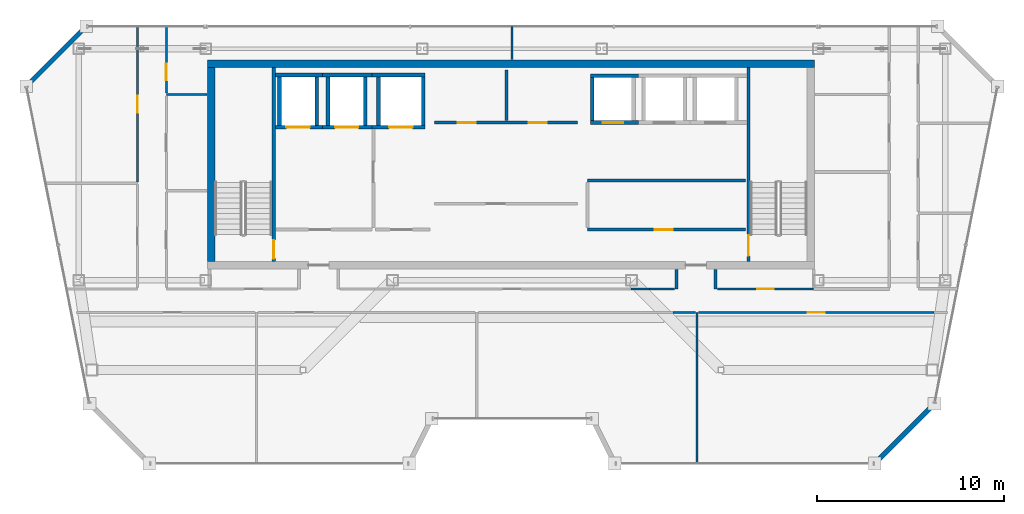
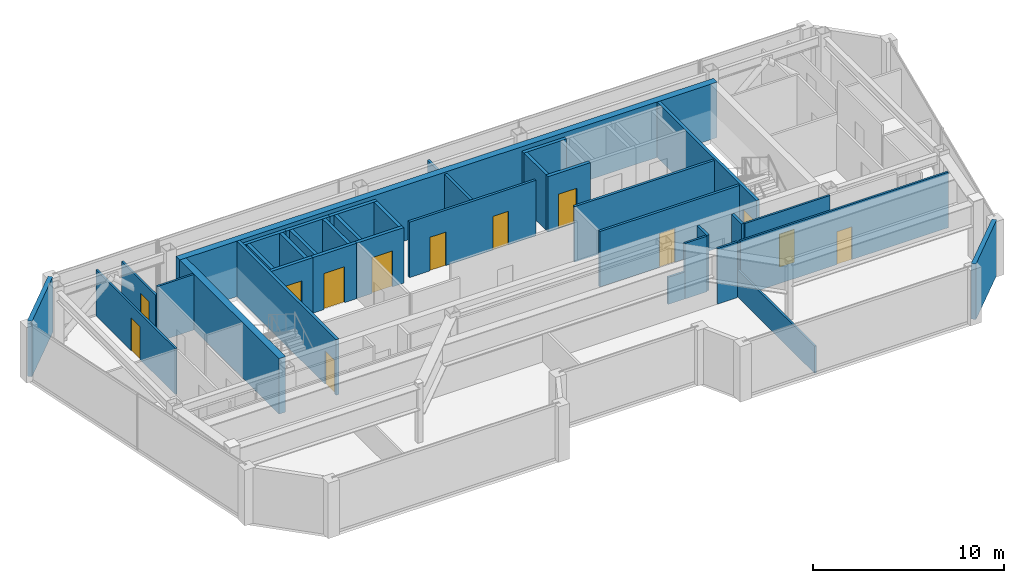
# One storey, part 20 of 24: 37 walls, 13 doors, 13 openings.
"""IFC4 building model written with IfcOpenShell, lengths in metres."""

from ifc_helpers import new_model, si_unit, direction, frame, frame_2d, origin, place, context, subcontext, project, spatial, rectangle, extrude, material, layer, layer_set, type_object, element, fill, save


model = new_model("IFC4")

# Units and contexts
model_context = context("Model", 3, precision=1e-05, world=origin(), true_north=direction((0.0, 1.0)))
body_context = subcontext(model_context, "Body", "Model", "MODEL_VIEW")
ifc_project = project(units=[si_unit("LENGTHUNIT", "METRE"), si_unit("AREAUNIT", "SQUARE_METRE"), si_unit("VOLUMEUNIT", "CUBIC_METRE"), si_unit("PLANEANGLEUNIT", "RADIAN"), si_unit("MASSUNIT", "GRAM", prefix="KILO")], contexts=[model_context])

# Site, building, storey
site_placement = place(None, origin())
site = spatial("IfcSite", under=ifc_project, at=site_placement, CompositionType="ELEMENT")
building_placement = place(site_placement, origin())
building = spatial("IfcBuilding", under=site, at=building_placement, Name="Saevonmaru Cultural Tower", CompositionType="ELEMENT")
storey_placement = place(building_placement, frame((0.0, 0.0, 306.60009765625)))
storey = spatial("IfcBuildingStorey", under=building, at=storey_placement, Name="L73", CompositionType="ELEMENT", Elevation=306.60009765625)

# Walls
ifc_material_1 = material(Name="Concrete C50/60", Category="concrete")
ifc_layer_1 = layer(ifc_material_1, 0.39990234375, Name="Concrete C50/60")
ifc_layer_set_1 = layer_set([ifc_layer_1], Name="Concrete C50/60")
wall_type_1 = type_object("IfcWallType", Name="WL-CORE-400", PredefinedType="SHEAR", material=ifc_layer_set_1)
wall_1_placement = place(storey_placement, frame((13.699951171875, 54.0, 0.0), z_axis=(0.0, 0.0, 1.0), x_axis=(1.0, 0.0, 0.0)))
element("IfcWall", 1, at=wall_1_placement, inside=storey, type_object=wall_type_1, Name="L73 Tower RC core shear wall N", PredefinedType="SHEAR", context=body_context, shape_type="SweptSolid", body=[
    extrude(rectangle(XDim=32.5, YDim=0.39990234375, at=frame_2d((16.25, 0.0))), origin(), (0.0, 0.0, 1.0), 3.5498046875),
])
wall_2_placement = place(storey_placement, frame((13.89990234375, 43.39990234375, 0.0), z_axis=(0.0, 0.0, 1.0), x_axis=(0.0, 1.0, 0.0)))
element("IfcWall", 2, at=wall_2_placement, inside=storey, type_object=wall_type_1, Name="L73 Tower RC core shear wall W", PredefinedType="SHEAR", context=body_context, shape_type="SweptSolid", body=[
    extrude(rectangle(XDim=10.400146484375, YDim=0.39990234375, at=frame_2d((5.2001953125, 0.0))), origin(), (0.0, 0.0, 1.0), 3.5498046875),
])

# Wall, opening, door
ifc_material_2 = material(Name="Gypsum Fireboard Partition", Category="gypsum")
ifc_layer_2 = layer(ifc_material_2, 0.14990234375, Name="Gypsum Fireboard Partition")
ifc_layer_set_2 = layer_set([ifc_layer_2], Name="Gypsum Fireboard Partition")
wall_type_2 = type_object("IfcWallType", Name="WL-CORE-PART-150", PredefinedType="PARTITIONING", material=ifc_layer_set_2)
wall_3_placement = place(storey_placement, frame((34.050048828125, 45.1201171875, 0.0), z_axis=(0.0, 0.0, 1.0), x_axis=(1.0, 0.0, 0.0)))
wall_3 = element("IfcWall", 3, at=wall_3_placement, inside=storey, type_object=wall_type_2, Name="L73 Core Service South Wall", PredefinedType="PARTITIONING", context=body_context, shape_type="SweptSolid", body=[
    extrude(rectangle(XDim=8.449951171875, YDim=0.14990234375, at=frame_2d((4.22509765625, 0.0))), origin(), (0.0, 0.0, 1.0), 3.5498046875),
])
opening_1_placement = place(wall_3_placement, frame((3.60009765625, 0.0, 0.0)))
opening_1 = element("IfcOpeningElement", 4, at=opening_1_placement, cuts=wall_3, Name="Opening FD-4", PredefinedType="OPENING", context=body_context, shape_type="SweptSolid", body=[
    extrude(rectangle(XDim=0.949951171875, YDim=2.14990234375, at=frame_2d((0.47509765625, 1.074951171875))), frame((0.0, 0.0849609375, 0.0), z_axis=(0.0, -1.0, 0.0), x_axis=(1.0, 0.0, 0.0)), (0.0, 0.0, 1.0), 0.169921875),
])
ifc_material_3 = material(Name="Satin Bronze Anodised Aluminium", Category="aluminium")
door_type_1 = type_object("IfcDoorType", Name="DR-FD60-950", OperationType="SINGLE_SWING_LEFT", PredefinedType="DOOR", material=ifc_material_3)
door_1_placement = place(opening_1_placement, origin())
door_1 = element("IfcDoor", 5, at=door_1_placement, inside=storey, type_object=door_type_1, Name="L73 Telecom Riser Plant Door", OperationType="SINGLE_SWING_LEFT", OverallHeight=2.14990234375, OverallWidth=0.949951171875, PredefinedType="DOOR", context=body_context, shape_type="SweptSolid", body=[
    extrude(rectangle(XDim=0.949951171875, YDim=2.14990234375, at=frame_2d((0.47509765625, 1.074951171875))), frame((0.0, 0.02490234375, 0.0), z_axis=(0.0, -1.0, 0.0), x_axis=(1.0, 0.0, 0.0)), (0.0, 0.0, 1.0), 0.050048828125),
])
fill(opening_1, door_1)

# Wall
wall_4_placement = place(storey_placement, frame((34.050048828125, 47.75, 0.0), z_axis=(0.0, 0.0, 1.0), x_axis=(1.0, 0.0, 0.0)))
element("IfcWall", 6, at=wall_4_placement, inside=storey, type_object=wall_type_2, Name="L73 Core Service North Wall", PredefinedType="PARTITIONING", context=body_context, shape_type="SweptSolid", body=[
    extrude(rectangle(XDim=8.449951171875, YDim=0.14990234375, at=frame_2d((4.22509765625, 0.0))), origin(), (0.0, 0.0, 1.0), 3.5498046875),
])

# Wall, openings, doors
wall_5_placement = place(storey_placement, frame((25.85009765625, 50.85009765625, 0.0), z_axis=(0.0, 0.0, 1.0), x_axis=(1.0, 0.0, 0.0)))
wall_5 = element("IfcWall", 7, at=wall_5_placement, inside=storey, type_object=wall_type_2, Name="L73 Reclaimed Core Room South Wall", PredefinedType="PARTITIONING", context=body_context, shape_type="SweptSolid", body=[
    extrude(rectangle(XDim=7.64990234375, YDim=0.14990234375, at=frame_2d((3.824951171875, 0.0))), origin(), (0.0, 0.0, 1.0), 3.5498046875),
])
opening_2_placement = place(wall_5_placement, frame((1.25, 0.0, 0.0)))
opening_2 = element("IfcOpeningElement", 8, at=opening_2_placement, cuts=wall_5, Name="Opening FD-4", PredefinedType="OPENING", context=body_context, shape_type="SweptSolid", body=[
    extrude(rectangle(XDim=0.949951171875, YDim=2.14990234375, at=frame_2d((0.47509765625, 1.074951171875))), frame((0.0, 0.0849609375, 0.0), z_axis=(0.0, -1.0, 0.0), x_axis=(1.0, 0.0, 0.0)), (0.0, 0.0, 1.0), 0.169921875),
])
opening_3_placement = place(wall_5_placement, frame((5.050048828125, 0.0, 0.0)))
opening_3 = element("IfcOpeningElement", 9, at=opening_3_placement, cuts=wall_5, Name="Opening FD-4", PredefinedType="OPENING", context=body_context, shape_type="SweptSolid", body=[
    extrude(rectangle(XDim=0.949951171875, YDim=2.14990234375, at=frame_2d((0.47509765625, 1.074951171875))), frame((0.0, 0.0849609375, 0.0), z_axis=(0.0, -1.0, 0.0), x_axis=(1.0, 0.0, 0.0)), (0.0, 0.0, 1.0), 0.169921875),
])
door_2_placement = place(opening_2_placement, origin())
door_2 = element("IfcDoor", 10, at=door_2_placement, inside=storey, type_object=door_type_1, Name="L73 Reclaimed Archive Vault Door", OperationType="SINGLE_SWING_LEFT", OverallHeight=2.14990234375, OverallWidth=0.949951171875, PredefinedType="DOOR", context=body_context, shape_type="SweptSolid", body=[
    extrude(rectangle(XDim=0.949951171875, YDim=2.14990234375, at=frame_2d((0.47509765625, 1.074951171875))), frame((0.0, 0.02490234375, 0.0), z_axis=(0.0, -1.0, 0.0), x_axis=(1.0, 0.0, 0.0)), (0.0, 0.0, 1.0), 0.050048828125),
])
fill(opening_2, door_2)
door_3_placement = place(opening_3_placement, origin())
door_3 = element("IfcDoor", 11, at=door_3_placement, inside=storey, type_object=door_type_1, Name="L73 Reclaimed Conservation Storage Door", OperationType="SINGLE_SWING_LEFT", OverallHeight=2.14990234375, OverallWidth=0.949951171875, PredefinedType="DOOR", context=body_context, shape_type="SweptSolid", body=[
    extrude(rectangle(XDim=0.949951171875, YDim=2.14990234375, at=frame_2d((0.47509765625, 1.074951171875))), frame((0.0, 0.02490234375, 0.0), z_axis=(0.0, -1.0, 0.0), x_axis=(1.0, 0.0, 0.0)), (0.0, 0.0, 1.0), 0.050048828125),
])
fill(opening_3, door_3)

# Walls
wall_6_placement = place(storey_placement, frame((29.699951171875, 50.949951171875, 0.0), z_axis=(0.0, 0.0, 1.0), x_axis=(0.0, 1.0, 0.0)))
element("IfcWall", 12, at=wall_6_placement, inside=storey, type_object=wall_type_2, Name="L73 Reclaimed Vault Split", PredefinedType="PARTITIONING", context=body_context, shape_type="SweptSolid", body=[
    extrude(rectangle(XDim=2.699951171875, YDim=0.14990234375, at=frame_2d((1.35009765625, 0.0))), origin(), (0.0, 0.0, 1.0), 3.5498046875),
])
ifc_material_4 = material(Name="Granite-Clad Precast Concrete C40/50", Category="masonry")
ifc_layer_3 = layer(ifc_material_4, 0.260009765625, Name="Granite-Clad Precast Concrete C40/50")
ifc_layer_set_3 = layer_set([ifc_layer_3], Name="Granite-Clad Precast Concrete C40/50")
wall_type_3 = type_object("IfcWallType", Name="WL-EXT-SPANDREL-260", PredefinedType="STANDARD", material=ifc_layer_set_3)
wall_7_placement = place(storey_placement, frame((49.533203125, 32.713134765625, 0.0), z_axis=(0.0, 0.0, 1.0), x_axis=(0.70707775441, 0.707135806771, 0.0)))
element("IfcWall", 13, at=wall_7_placement, inside=storey, type_object=wall_type_3, Name="L73 Chamfer Corner Spandrel Wall E7", PredefinedType="STANDARD", context=body_context, shape_type="SweptSolid", body=[
    extrude(rectangle(XDim=4.20556640625, YDim=0.260009765625, at=frame_2d((2.102783203125, 0.0))), origin(), (0.0, 0.0, 1.0), 3.5498046875),
])
wall_8_placement = place(storey_placement, frame((7.0869140625, 55.886962890625, 0.0), z_axis=(0.0, 0.0, 1.0), x_axis=(-0.707106781187, -0.707106781187, 0.0)))
element("IfcWall", 14, at=wall_8_placement, inside=storey, type_object=wall_type_3, Name="L73 Chamfer Corner Spandrel Wall E11", PredefinedType="STANDARD", context=body_context, shape_type="SweptSolid", body=[
    extrude(rectangle(XDim=4.205810546875, YDim=0.260009765625, at=frame_2d((2.10302734375, 0.0))), origin(), (0.0, 0.0, 1.0), 3.5498046875),
])
ifc_layer_4 = layer(ifc_material_2, 0.14990234375, Name="Gypsum Fireboard Partition")
ifc_layer_set_4 = layer_set([ifc_layer_4], Name="Gypsum Fireboard Partition")
wall_type_4 = type_object("IfcWallType", Name="WL-PART-FIRE-150", PredefinedType="PARTITIONING", material=ifc_layer_set_4)
for number, where, z_axis, x_axis, name in (
    (15, (38.800048828125, 41.93994140625, 0.0), (0.0, 0.0, 1.0), (0.0, 1.0, 0.0), "L73 Core Portal Side Wall E1"),
    (16, (40.89990234375, 41.93994140625, 0.0), (0.0, 0.0, 1.0), (0.0, 1.0, 0.0), "L73 Core Portal Side Wall E2"),
):
    element("IfcWall", number, at=place(storey_placement, frame(where, z_axis=z_axis, x_axis=x_axis)), inside=storey, type_object=wall_type_4, Name=name, PredefinedType="PARTITIONING", context=body_context, shape_type="SweptSolid", body=[
        extrude(rectangle(XDim=1.0400390625, YDim=0.14990234375, at=frame_2d((0.52001953125, 0.0))), origin(), (0.0, 0.0, 1.0), 3.5498046875),
    ])
ifc_layer_5 = layer(ifc_material_2, 0.1201171875, Name="Gypsum Fireboard Partition")
ifc_layer_set_5 = layer_set([ifc_layer_5], Name="Gypsum Fireboard Partition")
wall_type_5 = type_object("IfcWallType", Name="WL-PART-GYP-120", PredefinedType="PARTITIONING", material=ifc_layer_set_5)
wall_9_placement = place(storey_placement, frame((11.5, 52.35009765625, 0.0), z_axis=(0.0, 0.0, 1.0), x_axis=(1.0, 0.0, 0.0)))
element("IfcWall", 17, at=wall_9_placement, inside=storey, type_object=wall_type_5, Name="L73 North-West Panorama South Wall", PredefinedType="PARTITIONING", context=body_context, shape_type="SweptSolid", body=[
    extrude(rectangle(XDim=2.179931640625, YDim=0.1201171875, at=frame_2d((1.08984375, 0.0))), origin(), (0.0, 0.0, 1.0), 3.5498046875),
])
wall_10_placement = place(storey_placement, frame((30.0, 54.219970703125, 0.0), z_axis=(0.0, 0.0, 1.0), x_axis=(0.0, 1.0, 0.0)))
element("IfcWall", 18, at=wall_10_placement, inside=storey, type_object=wall_type_5, Name="L73 North Panorama Center Split", PredefinedType="PARTITIONING", context=body_context, shape_type="SweptSolid", body=[
    extrude(rectangle(XDim=1.775146484375, YDim=0.1201171875, at=frame_2d((0.8876953125, 0.0))), origin(), (0.0, 0.0, 1.0), 2.934814453125),
])

# Wall, opening, door
wall_11_placement = place(storey_placement, frame((11.5, 52.429931640625, 0.0), z_axis=(0.0, 0.0, 1.0), x_axis=(0.0, 1.0, 0.0)))
wall_11 = element("IfcWall", 19, at=wall_11_placement, inside=storey, type_object=wall_type_5, Name="L73 Literature Seminar Meeting Room Corridor Wall", PredefinedType="PARTITIONING", context=body_context, shape_type="SweptSolid", body=[
    extrude(rectangle(XDim=3.565185546875, YDim=0.1201171875, at=frame_2d((1.78271484375, 0.0))), origin(), (0.0, 0.0, 1.0), 2.934814453125),
])
opening_4_placement = place(wall_11_placement, frame((0.672119140625, 0.0, 0.0)))
opening_4 = element("IfcOpeningElement", 20, at=opening_4_placement, cuts=wall_11, Name="Opening ID-2", PredefinedType="OPENING", context=body_context, shape_type="SweptSolid", body=[
    extrude(rectangle(XDim=0.89990234375, YDim=2.10009765625, at=frame_2d((0.449951171875, 1.050048828125))), frame((0.0, 0.070068359375, 0.0), z_axis=(0.0, -1.0, 0.0), x_axis=(1.0, 0.0, 0.0)), (0.0, 0.0, 1.0), 0.14013671875),
])
ifc_material_5 = material(Name="Acoustic Stained Oak Timber", Category="wood")
door_type_2 = type_object("IfcDoorType", Name="DR-INT-900", OperationType="SINGLE_SWING_RIGHT", PredefinedType="DOOR", material=ifc_material_5)
door_4_placement = place(opening_4_placement, origin())
door_4 = element("IfcDoor", 21, at=door_4_placement, inside=storey, type_object=door_type_2, Name="L73 Literature Seminar Meeting Room Door", OperationType="SINGLE_SWING_LEFT", OverallHeight=2.10009765625, OverallWidth=0.89990234375, PredefinedType="DOOR", context=body_context, shape_type="SweptSolid", body=[
    extrude(rectangle(XDim=0.89990234375, YDim=2.10009765625, at=frame_2d((0.449951171875, 1.050048828125))), frame((0.0, 0.02490234375, 0.0), z_axis=(0.0, -1.0, 0.0), x_axis=(1.0, 0.0, 0.0)), (0.0, 0.0, 1.0), 0.050048828125),
])
fill(opening_4, door_4)

wall_12_placement = place(storey_placement, frame((9.949951171875, 47.679931640625, 0.0), z_axis=(0.0, 0.0, 1.0), x_axis=(0.0, 1.0, 0.0)))
wall_12 = element("IfcWall", 22, at=wall_12_placement, inside=storey, type_object=wall_type_5, Name="L73 Architecture Residency Office Corridor Wall", PredefinedType="PARTITIONING", context=body_context, shape_type="SweptSolid", body=[
    extrude(rectangle(XDim=8.315185546875, YDim=0.1201171875, at=frame_2d((4.15771484375, 0.0))), origin(), (0.0, 0.0, 1.0), 2.934814453125),
])
opening_5_placement = place(wall_12_placement, frame((3.70703125, 0.0, 0.0)))
opening_5 = element("IfcOpeningElement", 23, at=opening_5_placement, cuts=wall_12, Name="Opening ID-2", PredefinedType="OPENING", context=body_context, shape_type="SweptSolid", body=[
    extrude(rectangle(XDim=0.89990234375, YDim=2.10009765625, at=frame_2d((0.449951171875, 1.050048828125))), frame((0.0, 0.070068359375, 0.0), z_axis=(0.0, -1.0, 0.0), x_axis=(1.0, 0.0, 0.0)), (0.0, 0.0, 1.0), 0.14013671875),
])
door_5_placement = place(opening_5_placement, origin())
door_5 = element("IfcDoor", 24, at=door_5_placement, inside=storey, type_object=door_type_2, Name="L73 Architecture Residency Office Door", OperationType="SINGLE_SWING_LEFT", OverallHeight=2.10009765625, OverallWidth=0.89990234375, PredefinedType="DOOR", context=body_context, shape_type="SweptSolid", body=[
    extrude(rectangle(XDim=0.89990234375, YDim=2.10009765625, at=frame_2d((0.449951171875, 1.050048828125))), frame((0.0, 0.02490234375, 0.0), z_axis=(0.0, -1.0, 0.0), x_axis=(1.0, 0.0, 0.0)), (0.0, 0.0, 1.0), 0.050048828125),
])
fill(opening_5, door_5)

# Walls
wall_13_placement = place(storey_placement, frame((37.36083984375, 41.93994140625, 0.0), z_axis=(0.0, 0.0, 1.0), x_axis=(1.0, 0.0, 0.0)))
element("IfcWall", 25, at=wall_13_placement, inside=storey, type_object=wall_type_5, Name="L73 Architecture Residency Office Corridor Wall (3)", PredefinedType="PARTITIONING", context=body_context, shape_type="SweptSolid", body=[
    extrude(rectangle(XDim=1.34423828125, YDim=0.1201171875, at=frame_2d((0.672119140625, 0.0))), origin(), (0.0, 0.0, 1.0), 3.5498046875),
])
wall_14_placement = place(storey_placement, frame((36.357666015625, 41.93994140625, 0.0), z_axis=(0.0, 0.0, 1.0), x_axis=(1.0, 0.0, 0.0)))
element("IfcWall", 26, at=wall_14_placement, inside=storey, type_object=wall_type_5, Name="L73 Architecture Residency Office Corridor Wall (5)", PredefinedType="PARTITIONING", context=body_context, shape_type="SweptSolid", body=[
    extrude(rectangle(XDim=1.003173828125, YDim=0.1201171875, at=frame_2d((0.50146484375, 0.0))), origin(), (0.0, 0.0, 1.0), 1.73486328125),
])

# Wall, opening, door
wall_15_placement = place(storey_placement, frame((40.9951171875, 41.93994140625, 0.0), z_axis=(0.0, 0.0, 1.0), x_axis=(1.0, 0.0, 0.0)))
wall_15 = element("IfcWall", 27, at=wall_15_placement, inside=storey, type_object=wall_type_5, Name="L73 Literature Seminar Meeting Room Corridor Wall", PredefinedType="PARTITIONING", context=body_context, shape_type="SweptSolid", body=[
    extrude(rectangle(XDim=5.15478515625, YDim=0.1201171875, at=frame_2d((2.577392578125, 0.0))), origin(), (0.0, 0.0, 1.0), 3.5498046875),
])
opening_6_placement = place(wall_15_placement, frame((2.1279296875, 0.0, 0.0)))
opening_6 = element("IfcOpeningElement", 28, at=opening_6_placement, cuts=wall_15, Name="Opening ID-2", PredefinedType="OPENING", context=body_context, shape_type="SweptSolid", body=[
    extrude(rectangle(XDim=0.89990234375, YDim=2.10009765625, at=frame_2d((0.449951171875, 1.050048828125))), frame((0.0, 0.070068359375, 0.0), z_axis=(0.0, -1.0, 0.0), x_axis=(1.0, 0.0, 0.0)), (0.0, 0.0, 1.0), 0.14013671875),
])
door_6_placement = place(opening_6_placement, origin())
door_6 = element("IfcDoor", 29, at=door_6_placement, inside=storey, type_object=door_type_2, Name="L73 Literature Seminar Meeting Room Door", OperationType="SINGLE_SWING_LEFT", OverallHeight=2.10009765625, OverallWidth=0.89990234375, PredefinedType="DOOR", context=body_context, shape_type="SweptSolid", body=[
    extrude(rectangle(XDim=0.89990234375, YDim=2.10009765625, at=frame_2d((0.449951171875, 1.050048828125))), frame((0.0, 0.02490234375, 0.0), z_axis=(0.0, -1.0, 0.0), x_axis=(1.0, 0.0, 0.0)), (0.0, 0.0, 1.0), 0.050048828125),
])
fill(opening_6, door_6)

# Walls
wall_16_placement = place(storey_placement, frame((39.909912109375, 32.60498046875, 0.0), z_axis=(0.0, 0.0, 1.0), x_axis=(0.0, 1.0, 0.0)))
element("IfcWall", 30, at=wall_16_placement, inside=storey, type_object=wall_type_5, Name="L73 Observatory Bay Divider 3", PredefinedType="PARTITIONING", context=body_context, shape_type="SweptSolid", body=[
    extrude(rectangle(XDim=8.074951171875, YDim=0.1201171875, at=frame_2d((4.03759765625, 0.0))), origin(), (0.0, 0.0, 1.0), 1.73486328125),
])
wall_17_placement = place(storey_placement, frame((38.618896484375, 40.679931640625, 0.0), z_axis=(0.0, 0.0, 1.0), x_axis=(1.0, 0.0, 0.0)))
element("IfcWall", 31, at=wall_17_placement, inside=storey, type_object=wall_type_5, Name="L73 Literature Seminar Meeting Room Corridor Wall", PredefinedType="PARTITIONING", context=body_context, shape_type="SweptSolid", body=[
    extrude(rectangle(XDim=1.211181640625, YDim=0.1201171875, at=frame_2d((0.60546875, 0.0))), origin(), (0.0, 0.0, 1.0), 3.5498046875),
])

# Wall, opening, door
wall_18_placement = place(storey_placement, frame((39.989990234375, 40.679931640625, 0.0), z_axis=(0.0, 0.0, 1.0), x_axis=(1.0, 0.0, 0.0)))
wall_18 = element("IfcWall", 32, at=wall_18_placement, inside=storey, type_object=wall_type_5, Name="L73 Urban Design Meeting Room Corridor Wall", PredefinedType="PARTITIONING", context=body_context, shape_type="SweptSolid", body=[
    extrude(rectangle(XDim=12.597412109375, YDim=0.1201171875, at=frame_2d((6.298828125, 0.0))), origin(), (0.0, 0.0, 1.0), 3.5498046875),
])
opening_7_placement = place(wall_18_placement, frame((5.84912109375, 0.0, 0.0)))
opening_7 = element("IfcOpeningElement", 33, at=opening_7_placement, cuts=wall_18, Name="Opening ID-2", PredefinedType="OPENING", context=body_context, shape_type="SweptSolid", body=[
    extrude(rectangle(XDim=0.89990234375, YDim=2.10009765625, at=frame_2d((0.449951171875, 1.050048828125))), frame((0.0, 0.070068359375, 0.0), z_axis=(0.0, -1.0, 0.0), x_axis=(1.0, 0.0, 0.0)), (0.0, 0.0, 1.0), 0.14013671875),
])
door_7_placement = place(opening_7_placement, origin())
door_7 = element("IfcDoor", 34, at=door_7_placement, inside=storey, type_object=door_type_2, Name="L73 Urban Design Meeting Room Door", OperationType="SINGLE_SWING_RIGHT", OverallHeight=2.10009765625, OverallWidth=0.89990234375, PredefinedType="DOOR", context=body_context, shape_type="SweptSolid", body=[
    extrude(rectangle(XDim=0.89990234375, YDim=2.10009765625, at=frame_2d((0.449951171875, 1.050048828125))), frame((0.0, 0.02490234375, 0.0), z_axis=(0.0, -1.0, 0.0), x_axis=(1.0, 0.0, 0.0)), (0.0, 0.0, 1.0), 0.050048828125),
])
fill(opening_7, door_7)

ifc_material_6 = material(Name="Concrete C40/50", Category="concrete")
ifc_layer_6 = layer(ifc_material_6, 0.199951171875, Name="Concrete C40/50")
ifc_layer_set_6 = layer_set([ifc_layer_6], Name="Concrete C40/50")
wall_type_6 = type_object("IfcWallType", Name="WL-SHAFT-200", PredefinedType="SHEAR", material=ifc_layer_set_6)
wall_19_placement = place(storey_placement, frame((17.330078125, 50.60009765625, 0.0), z_axis=(0.0, 0.0, 1.0), x_axis=(1.0, 0.0, 0.0)))
wall_19 = element("IfcWall", 35, at=wall_19_placement, inside=storey, type_object=wall_type_6, Name="L73 Lift FFL-1 Hoistway Wall S", PredefinedType="SHEAR", context=body_context, shape_type="SweptSolid", body=[
    extrude(rectangle(XDim=2.52001953125, YDim=0.199951171875, at=frame_2d((1.260009765625, 0.0))), origin(), (0.0, 0.0, 1.0), 3.5498046875),
])
opening_8_placement = place(wall_19_placement, frame((0.594970703125, 0.0, 0.0)))
opening_8 = element("IfcOpeningElement", 36, at=opening_8_placement, cuts=wall_19, Name="Opening LD-2", PredefinedType="OPENING", context=body_context, shape_type="SweptSolid", body=[
    extrude(rectangle(XDim=1.25, YDim=2.300048828125, at=frame_2d((0.625, 1.14990234375))), frame((0.0, 0.10986328125, 0.0), z_axis=(0.0, -1.0, 0.0), x_axis=(1.0, 0.0, 0.0)), (0.0, 0.0, 1.0), 0.219970703125),
])
ifc_material_7 = material(Name="Stainless Steel 316", Category="steel")
door_type_3 = type_object("IfcDoorType", Name="DR-LIFT-1250", OperationType="SLIDING_TO_LEFT", PredefinedType="DOOR", material=ifc_material_7)
door_8_placement = place(opening_8_placement, origin())
door_8 = element("IfcDoor", 37, at=door_8_placement, inside=storey, type_object=door_type_3, Name="L73 Lift FFL-1 Sliding Landing Door", OperationType="SLIDING_TO_LEFT", OverallHeight=2.300048828125, OverallWidth=1.25, PredefinedType="DOOR", context=body_context, shape_type="SweptSolid", body=[
    extrude(rectangle(XDim=1.25, YDim=2.300048828125, at=frame_2d((0.625, 1.14990234375))), frame((0.0, 0.02490234375, 0.0), z_axis=(0.0, -1.0, 0.0), x_axis=(1.0, 0.0, 0.0)), (0.0, 0.0, 1.0), 0.050048828125),
])
fill(opening_8, door_8)

# Walls
wall_20_placement = place(storey_placement, frame((17.330078125, 53.39990234375, 0.0), z_axis=(0.0, 0.0, 1.0), x_axis=(1.0, 0.0, 0.0)))
element("IfcWall", 38, at=wall_20_placement, inside=storey, type_object=wall_type_6, Name="L73 Lift FFL-1 Hoistway Wall N", PredefinedType="SHEAR", context=body_context, shape_type="SweptSolid", body=[
    extrude(rectangle(XDim=2.52001953125, YDim=0.199951171875, at=frame_2d((1.260009765625, 0.0))), origin(), (0.0, 0.0, 1.0), 3.5498046875),
])
for number, where, z_axis, x_axis, name in (
    (39, (17.550048828125, 50.699951171875, 0.0), (0.0, 0.0, 1.0), (0.0, 1.0, 0.0), "L73 Lift FFL-1 Hoistway Wall W"),
    (40, (19.550048828125, 50.699951171875, 0.0), (0.0, 0.0, 1.0), (0.0, 1.0, 0.0), "L73 Lift FFL-1 Hoistway Wall E"),
):
    element("IfcWall", number, at=place(storey_placement, frame(where, z_axis=z_axis, x_axis=x_axis)), inside=storey, type_object=wall_type_6, Name=name, PredefinedType="SHEAR", context=body_context, shape_type="SweptSolid", body=[
        extrude(rectangle(XDim=2.60009765625, YDim=0.199951171875, at=frame_2d((1.300048828125, 0.0))), origin(), (0.0, 0.0, 1.0), 3.5498046875),
    ])

# Wall, opening, door
wall_21_placement = place(storey_placement, frame((19.85009765625, 50.60009765625, 0.0), z_axis=(0.0, 0.0, 1.0), x_axis=(1.0, 0.0, 0.0)))
wall_21 = element("IfcWall", 41, at=wall_21_placement, inside=storey, type_object=wall_type_6, Name="L73 Lift FFL-2 Hoistway Wall S", PredefinedType="SHEAR", context=body_context, shape_type="SweptSolid", body=[
    extrude(rectangle(XDim=2.64990234375, YDim=0.199951171875, at=frame_2d((1.324951171875, 0.0))), origin(), (0.0, 0.0, 1.0), 3.5498046875),
])
opening_9_placement = place(wall_21_placement, frame((0.675048828125, 0.0, 0.0)))
opening_9 = element("IfcOpeningElement", 42, at=opening_9_placement, cuts=wall_21, Name="Opening LD-2", PredefinedType="OPENING", context=body_context, shape_type="SweptSolid", body=[
    extrude(rectangle(XDim=1.25, YDim=2.300048828125, at=frame_2d((0.625, 1.14990234375))), frame((0.0, 0.10986328125, 0.0), z_axis=(0.0, -1.0, 0.0), x_axis=(1.0, 0.0, 0.0)), (0.0, 0.0, 1.0), 0.219970703125),
])
door_9_placement = place(opening_9_placement, origin())
door_9 = element("IfcDoor", 43, at=door_9_placement, inside=storey, type_object=door_type_3, Name="L73 Lift FFL-2 Sliding Landing Door", OperationType="SLIDING_TO_LEFT", OverallHeight=2.300048828125, OverallWidth=1.25, PredefinedType="DOOR", context=body_context, shape_type="SweptSolid", body=[
    extrude(rectangle(XDim=1.25, YDim=2.300048828125, at=frame_2d((0.625, 1.14990234375))), frame((0.0, 0.02490234375, 0.0), z_axis=(0.0, -1.0, 0.0), x_axis=(1.0, 0.0, 0.0)), (0.0, 0.0, 1.0), 0.050048828125),
])
fill(opening_9, door_9)

# Walls
wall_22_placement = place(storey_placement, frame((19.85009765625, 53.39990234375, 0.0), z_axis=(0.0, 0.0, 1.0), x_axis=(1.0, 0.0, 0.0)))
element("IfcWall", 44, at=wall_22_placement, inside=storey, type_object=wall_type_6, Name="L73 Lift FFL-2 Hoistway Wall N", PredefinedType="SHEAR", context=body_context, shape_type="SweptSolid", body=[
    extrude(rectangle(XDim=2.64990234375, YDim=0.199951171875, at=frame_2d((1.324951171875, 0.0))), origin(), (0.0, 0.0, 1.0), 3.5498046875),
])
for number, where, z_axis, x_axis, name in (
    (45, (20.14990234375, 50.699951171875, 0.0), (0.0, 0.0, 1.0), (0.0, 1.0, 0.0), "L73 Lift FFL-2 Hoistway Wall W"),
    (46, (22.14990234375, 50.699951171875, 0.0), (0.0, 0.0, 1.0), (0.0, 1.0, 0.0), "L73 Lift FFL-2 Hoistway Wall E"),
):
    element("IfcWall", number, at=place(storey_placement, frame(where, z_axis=z_axis, x_axis=x_axis)), inside=storey, type_object=wall_type_6, Name=name, PredefinedType="SHEAR", context=body_context, shape_type="SweptSolid", body=[
        extrude(rectangle(XDim=2.60009765625, YDim=0.199951171875, at=frame_2d((1.300048828125, 0.0))), origin(), (0.0, 0.0, 1.0), 3.5498046875),
    ])

# Wall, opening, door
wall_23_placement = place(storey_placement, frame((22.5, 50.60009765625, 0.0), z_axis=(0.0, 0.0, 1.0), x_axis=(1.0, 0.0, 0.0)))
wall_23 = element("IfcWall", 47, at=wall_23_placement, inside=storey, type_object=wall_type_6, Name="L73 Lift GL-1 Hoistway Wall S", PredefinedType="SHEAR", context=body_context, shape_type="SweptSolid", body=[
    extrude(rectangle(XDim=2.85009765625, YDim=0.199951171875, at=frame_2d((1.425048828125, 0.0))), origin(), (0.0, 0.0, 1.0), 3.5498046875),
])
opening_10_placement = place(wall_23_placement, frame((0.925048828125, 0.0, 0.0)))
opening_10 = element("IfcOpeningElement", 48, at=opening_10_placement, cuts=wall_23, Name="Opening LD-2", PredefinedType="OPENING", context=body_context, shape_type="SweptSolid", body=[
    extrude(rectangle(XDim=1.25, YDim=2.300048828125, at=frame_2d((0.625, 1.14990234375))), frame((0.0, 0.10986328125, 0.0), z_axis=(0.0, -1.0, 0.0), x_axis=(1.0, 0.0, 0.0)), (0.0, 0.0, 1.0), 0.219970703125),
])
door_10_placement = place(opening_10_placement, origin())
door_10 = element("IfcDoor", 49, at=door_10_placement, inside=storey, type_object=door_type_3, Name="L73 Lift GL-1 Sliding Landing Door", OperationType="SLIDING_TO_LEFT", OverallHeight=2.300048828125, OverallWidth=1.25, PredefinedType="DOOR", context=body_context, shape_type="SweptSolid", body=[
    extrude(rectangle(XDim=1.25, YDim=2.300048828125, at=frame_2d((0.625, 1.14990234375))), frame((0.0, 0.02490234375, 0.0), z_axis=(0.0, -1.0, 0.0), x_axis=(1.0, 0.0, 0.0)), (0.0, 0.0, 1.0), 0.050048828125),
])
fill(opening_10, door_10)

# Walls
wall_24_placement = place(storey_placement, frame((22.5, 53.39990234375, 0.0), z_axis=(0.0, 0.0, 1.0), x_axis=(1.0, 0.0, 0.0)))
element("IfcWall", 50, at=wall_24_placement, inside=storey, type_object=wall_type_6, Name="L73 Lift GL-1 Hoistway Wall N", PredefinedType="SHEAR", context=body_context, shape_type="SweptSolid", body=[
    extrude(rectangle(XDim=2.85009765625, YDim=0.199951171875, at=frame_2d((1.425048828125, 0.0))), origin(), (0.0, 0.0, 1.0), 3.5498046875),
])
for number, where, z_axis, x_axis, name in (
    (51, (22.85009765625, 50.699951171875, 0.0), (0.0, 0.0, 1.0), (0.0, 1.0, 0.0), "L73 Lift GL-1 Hoistway Wall W"),
    (52, (25.25, 50.699951171875, 0.0), (0.0, 0.0, 1.0), (0.0, 1.0, 0.0), "L73 Lift GL-1 Hoistway Wall E"),
):
    element("IfcWall", number, at=place(storey_placement, frame(where, z_axis=z_axis, x_axis=x_axis)), inside=storey, type_object=wall_type_6, Name=name, PredefinedType="SHEAR", context=body_context, shape_type="SweptSolid", body=[
        extrude(rectangle(XDim=2.60009765625, YDim=0.199951171875, at=frame_2d((1.300048828125, 0.0))), origin(), (0.0, 0.0, 1.0), 3.5498046875),
    ])

# Wall, opening, door
wall_25_placement = place(storey_placement, frame((34.199951171875, 50.85009765625, 0.0), z_axis=(0.0, 0.0, 1.0), x_axis=(1.0, 0.0, 0.0)))
wall_25 = element("IfcWall", 53, at=wall_25_placement, inside=storey, type_object=wall_type_6, Name="L73 Lift PL-H1 Hoistway Wall S", PredefinedType="SHEAR", context=body_context, shape_type="SweptSolid", body=[
    extrude(rectangle(XDim=2.574951171875, YDim=0.199951171875, at=frame_2d((1.28759765625, 0.0))), origin(), (0.0, 0.0, 1.0), 3.5498046875),
])
opening_11_placement = place(wall_25_placement, frame((0.64990234375, 0.0, 0.0)))
opening_11 = element("IfcOpeningElement", 54, at=opening_11_placement, cuts=wall_25, Name="Opening LD-1", PredefinedType="OPENING", context=body_context, shape_type="SweptSolid", body=[
    extrude(rectangle(XDim=1.10009765625, YDim=2.199951171875, at=frame_2d((0.550048828125, 1.10009765625))), frame((0.0, 0.10986328125, 0.0), z_axis=(0.0, -1.0, 0.0), x_axis=(1.0, 0.0, 0.0)), (0.0, 0.0, 1.0), 0.219970703125),
])
ifc_material_8 = material(Name="Satin Bronze Stainless Steel", Category="steel")
door_type_4 = type_object("IfcDoorType", Name="DR-LIFT-1100", OperationType="SLIDING_TO_LEFT", PredefinedType="DOOR", material=ifc_material_8)
door_11_placement = place(opening_11_placement, origin())
door_11 = element("IfcDoor", 55, at=door_11_placement, inside=storey, type_object=door_type_4, Name="L73 Lift PL-H1 Sliding Landing Door", OperationType="SLIDING_TO_LEFT", OverallHeight=2.199951171875, OverallWidth=1.10009765625, PredefinedType="DOOR", context=body_context, shape_type="SweptSolid", body=[
    extrude(rectangle(XDim=1.10009765625, YDim=2.199951171875, at=frame_2d((0.550048828125, 1.10009765625))), frame((0.0, 0.02490234375, 0.0), z_axis=(0.0, -1.0, 0.0), x_axis=(1.0, 0.0, 0.0)), (0.0, 0.0, 1.0), 0.050048828125),
])
fill(opening_11, door_11)

# Walls
wall_26_placement = place(storey_placement, frame((34.199951171875, 53.35009765625, 0.0), z_axis=(0.0, 0.0, 1.0), x_axis=(1.0, 0.0, 0.0)))
element("IfcWall", 56, at=wall_26_placement, inside=storey, type_object=wall_type_6, Name="L73 Lift PL-H1 Hoistway Wall N", PredefinedType="SHEAR", context=body_context, shape_type="SweptSolid", body=[
    extrude(rectangle(XDim=2.574951171875, YDim=0.199951171875, at=frame_2d((1.28759765625, 0.0))), origin(), (0.0, 0.0, 1.0), 3.5498046875),
])
wall_27_placement = place(storey_placement, frame((34.300048828125, 50.949951171875, 0.0), z_axis=(0.0, 0.0, 1.0), x_axis=(0.0, 1.0, 0.0)))
element("IfcWall", 57, at=wall_27_placement, inside=storey, type_object=wall_type_6, Name="L73 Lift PL-H1 Hoistway Wall W", PredefinedType="SHEAR", context=body_context, shape_type="SweptSolid", body=[
    extrude(rectangle(XDim=2.300048828125, YDim=0.199951171875, at=frame_2d((1.14990234375, 0.0))), origin(), (0.0, 0.0, 1.0), 3.5498046875),
])

# Wall, opening, door
ifc_layer_7 = layer(ifc_material_6, 0.179931640625, Name="Concrete C40/50")
ifc_layer_set_7 = layer_set([ifc_layer_7], Name="Concrete C40/50")
wall_type_7 = type_object("IfcWallType", Name="WL-STSHAFT-180", PredefinedType="SHEAR", material=ifc_layer_set_7)
wall_28_placement = place(storey_placement, frame((17.239990234375, 43.39990234375, 0.0), z_axis=(0.0, 0.0, 1.0), x_axis=(0.0, 1.0, 0.0)))
wall_28 = element("IfcWall", 58, at=wall_28_placement, inside=storey, type_object=wall_type_7, Name="L73 Stair ST-1 Structural Shaft Wall 1", PredefinedType="SHEAR", context=body_context, shape_type="SweptSolid", body=[
    extrude(rectangle(XDim=10.400146484375, YDim=0.179931640625, at=frame_2d((5.2001953125, 0.0))), origin(), (0.0, 0.0, 1.0), 3.5498046875),
])
opening_12_placement = place(wall_28_placement, frame((0.159912109375, 0.0, 0.0)))
opening_12 = element("IfcOpeningElement", 59, at=opening_12_placement, cuts=wall_28, Name="Opening FD-3", PredefinedType="OPENING", context=body_context, shape_type="SweptSolid", body=[
    extrude(rectangle(XDim=1.0, YDim=2.14990234375, at=frame_2d((0.5, 1.074951171875))), frame((0.0, 0.10009765625, 0.0), z_axis=(0.0, -1.0, 0.0), x_axis=(1.0, 0.0, 0.0)), (0.0, 0.0, 1.0), 0.199951171875),
])
door_type_5 = type_object("IfcDoorType", Name="DR-FD60-1000", OperationType="SINGLE_SWING_RIGHT", PredefinedType="DOOR", material=ifc_material_3)
door_12_placement = place(opening_12_placement, origin())
door_12 = element("IfcDoor", 60, at=door_12_placement, inside=storey, type_object=door_type_5, Name="L73 Protected Stair ST-1 Fire Door", OperationType="SINGLE_SWING_RIGHT", OverallHeight=2.14990234375, OverallWidth=1.0, PredefinedType="DOOR", context=body_context, shape_type="SweptSolid", body=[
    extrude(rectangle(XDim=1.0, YDim=2.14990234375, at=frame_2d((0.5, 1.074951171875))), frame((0.0, 0.02490234375, 0.0), z_axis=(0.0, -1.0, 0.0), x_axis=(1.0, 0.0, 0.0)), (0.0, 0.0, 1.0), 0.050048828125),
])
fill(opening_12, door_12)

wall_29_placement = place(storey_placement, frame((42.659912109375, 53.800048828125, 0.0), z_axis=(0.0, 0.0, 1.0), x_axis=(0.0, -1.0, 0.0)))
wall_29 = element("IfcWall", 61, at=wall_29_placement, inside=storey, type_object=wall_type_7, Name="L73 Stair ST-2 Structural Shaft Wall 1", PredefinedType="SHEAR", context=body_context, shape_type="SweptSolid", body=[
    extrude(rectangle(XDim=10.400146484375, YDim=0.179931640625, at=frame_2d((5.2001953125, 0.0))), origin(), (0.0, 0.0, 1.0), 3.5498046875),
])
opening_13_placement = place(wall_29_placement, frame((8.989990234375, 0.0, 0.0)))
opening_13 = element("IfcOpeningElement", 62, at=opening_13_placement, cuts=wall_29, Name="Opening FD-2", PredefinedType="OPENING", context=body_context, shape_type="SweptSolid", body=[
    extrude(rectangle(XDim=1.10009765625, YDim=2.14990234375, at=frame_2d((0.550048828125, 1.074951171875))), frame((0.0, 0.10009765625, 0.0), z_axis=(0.0, -1.0, 0.0), x_axis=(1.0, 0.0, 0.0)), (0.0, 0.0, 1.0), 0.199951171875),
])
door_type_6 = type_object("IfcDoorType", Name="DR-FD60-1100", OperationType="SINGLE_SWING_LEFT", PredefinedType="DOOR", material=ifc_material_3)
door_13_placement = place(opening_13_placement, origin())
door_13 = element("IfcDoor", 63, at=door_13_placement, inside=storey, type_object=door_type_6, Name="L73 Protected Stair ST-2 Fire Door", OperationType="SINGLE_SWING_LEFT", OverallHeight=2.14990234375, OverallWidth=1.10009765625, PredefinedType="DOOR", context=body_context, shape_type="SweptSolid", body=[
    extrude(rectangle(XDim=1.10009765625, YDim=2.14990234375, at=frame_2d((0.550048828125, 1.074951171875))), frame((0.0, 0.02490234375, 0.0), z_axis=(0.0, -1.0, 0.0), x_axis=(1.0, 0.0, 0.0)), (0.0, 0.0, 1.0), 0.050048828125),
])
fill(opening_13, door_13)

save(model, "model.ifc")
